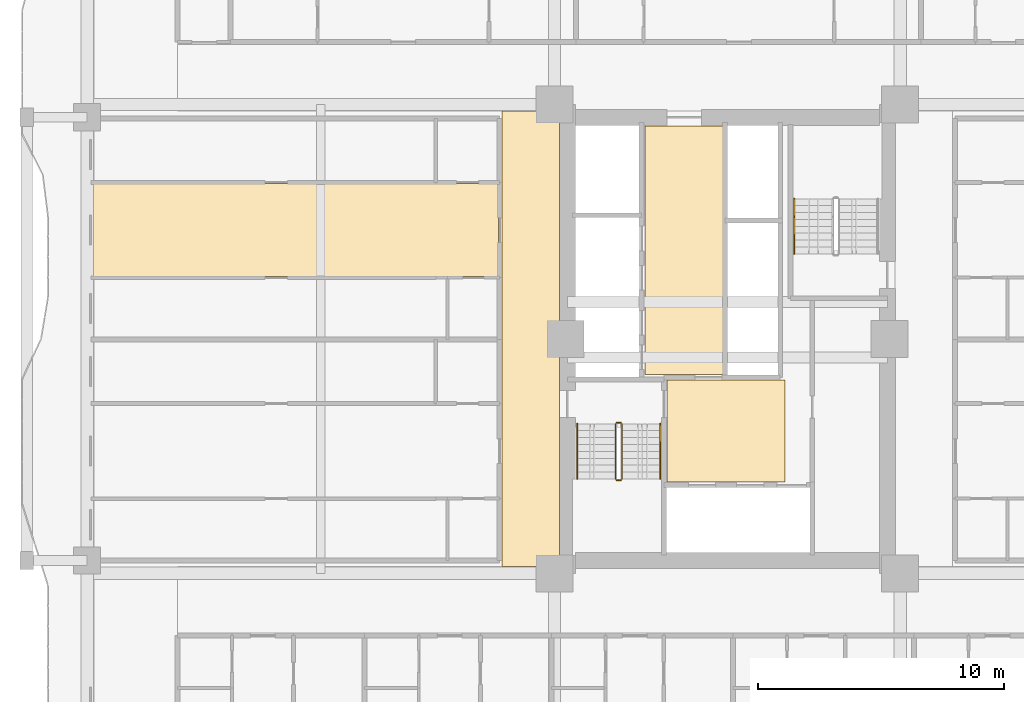
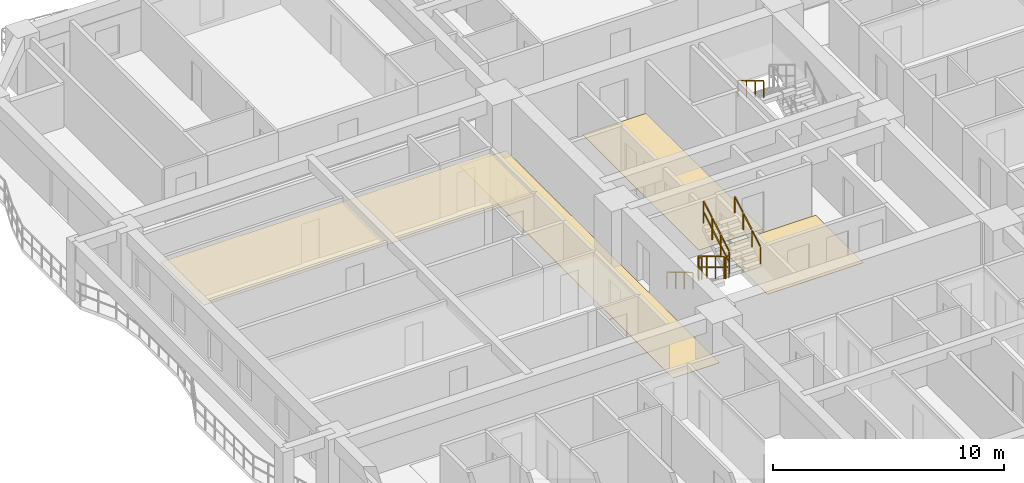
# One storey, part 14 of 17: 7 railings, 4 coverings.
"""IFC4 building model written with IfcOpenShell, lengths in metres."""

from ifc_helpers import new_model, si_unit, direction, frame, origin, origin_2d, place, context, subcontext, project, spatial, polyline, rectangle, outline, extrude, material, layer, layer_set, type_object, element, save


model = new_model("IFC4")

# Units and contexts
model_context = context("Model", 3, precision=1e-05, world=origin(), true_north=direction((0.0, 1.0)))
body_context = subcontext(model_context, "Body", "Model", "MODEL_VIEW")
ifc_project = project(units=[si_unit("LENGTHUNIT", "METRE"), si_unit("AREAUNIT", "SQUARE_METRE"), si_unit("VOLUMEUNIT", "CUBIC_METRE"), si_unit("PLANEANGLEUNIT", "RADIAN"), si_unit("MASSUNIT", "GRAM", prefix="KILO")], contexts=[model_context])

# Site, building, storey
site_placement = place(None, origin())
site = spatial("IfcSite", under=ifc_project, at=site_placement, CompositionType="ELEMENT")
building_placement = place(site_placement, origin())
building = spatial("IfcBuilding", under=site, at=building_placement, Name="Saelheon Loggia Tower", CompositionType="ELEMENT")
storey_placement = place(building_placement, frame((0.0, 0.0, 22.39990234375)))
storey = spatial("IfcBuildingStorey", under=building, at=storey_placement, Name="L06", CompositionType="ELEMENT", Elevation=22.39990234375)

# Coverings
ifc_material_1 = material(Name="Mineral-Fibre Acoustic Ceiling Board", Category="gypsum")
ifc_layer_1 = layer(ifc_material_1, 0.02490234375)
ifc_layer_set_1 = layer_set([ifc_layer_1], Name="Mineral-Fibre Acoustic Ceiling Board")
covering_type_1 = type_object("IfcCoveringType", Name="Cov_Ceiling_Acoustic", PredefinedType="CEILING", material=ifc_layer_set_1)
covering_1_placement = place(storey_placement, frame((0.0, 0.0, 2.53515625)))
element("IfcCovering", 1, at=covering_1_placement, inside=storey, type_object=covering_type_1, Name="L06 Acoustic Suspended Ceiling", PredefinedType="CEILING", context=body_context, shape_type="SweptSolid", body=[
    extrude(outline(polyline([(12.199951171875, 29.5380859375), (28.699951171875, 29.5380859375), (28.699951171875, 33.300048828125), (12.199951171875, 33.300048828125), (12.199951171875, 29.5380859375)])), origin(), (0.0, 0.0, 1.0), 0.02490234375),
])
ifc_material_2 = material(Name="Vitrified Porcelain Floor Tile", Category="ceramic")
ifc_layer_2 = layer(ifc_material_2, 0.02001953125)
ifc_layer_set_2 = layer_set([ifc_layer_2], Name="Vitrified Porcelain Floor Tile")
covering_type_2 = type_object("IfcCoveringType", Name="Cov_Floor_Porcelain", PredefinedType="FLOORING", material=ifc_layer_set_2)
covering_2_placement = place(storey_placement, origin())
element("IfcCovering", 2, at=covering_2_placement, inside=storey, type_object=covering_type_2, Name="L06 Corridor Porcelain Flooring", PredefinedType="FLOORING", context=body_context, shape_type="SweptSolid", body=[
    extrude(outline(polyline([(35.550048828125, 21.179931640625), (40.35009765625, 21.179931640625), (40.35009765625, 25.320068359375), (35.550048828125, 25.320068359375), (35.550048828125, 21.179931640625)])), origin(), (0.0, 0.0, 1.0), 0.02001953125),
])
covering_3_placement = place(storey_placement, origin())
element("IfcCovering", 3, at=covering_3_placement, inside=storey, type_object=covering_type_2, Name="L06 Corridor Porcelain Flooring", PredefinedType="FLOORING", context=body_context, shape_type="SweptSolid", body=[
    extrude(outline(polyline([(34.64990234375, 25.550048828125), (37.85009765625, 25.550048828125), (37.85009765625, 35.64990234375), (34.64990234375, 35.64990234375), (34.64990234375, 25.550048828125)])), origin(), (0.0, 0.0, 1.0), 0.02001953125),
])
covering_4_placement = place(storey_placement, origin())
element("IfcCovering", 4, at=covering_4_placement, inside=storey, type_object=covering_type_2, Name="L06 Corridor Porcelain Flooring", PredefinedType="FLOORING", context=body_context, shape_type="SweptSolid", body=[
    extrude(outline(polyline([(28.85009765625, 17.75), (31.179931640625, 17.75), (31.179931640625, 36.25), (28.85009765625, 36.25), (28.85009765625, 17.75)])), origin(), (0.0, 0.0, 1.0), 0.02001953125),
])

# Railings
ifc_material_3 = material(Name="Galvanised Steel S275 Stairwell Guardrail", Category="steel")
railing_type_1 = type_object("IfcRailingType", Name="Guard_StairWell_RL_STG", PredefinedType="GUARDRAIL", material=ifc_material_3)
railing_1_placement = place(storey_placement, frame((33.4599609375, 23.550048828125, 0.166748046875)))
element("IfcRailing", 5, at=railing_1_placement, inside=storey, type_object=railing_type_1, Name="L06 ST1 stair guard 1", PredefinedType="GUARDRAIL", context=body_context, shape_type="SweptSolid", body=[
    extrude(rectangle(XDim=0.048095703125, YDim=0.048095703125, at=origin_2d()), frame((0.0, -0.028564453125, 1.19287109375), z_axis=(0.0, -0.859305625298, 0.511462454469), x_axis=(1.0, 0.0, 0.0)), (0.0, 0.0, 1.0), 0.802490234375),
    extrude(rectangle(XDim=0.048095703125, YDim=0.048095703125, at=origin_2d()), frame((0.0, -0.028564453125, 0.616943359375), z_axis=(0.0, -0.859305625298, 0.511462454469), x_axis=(1.0, 0.0, 0.0)), (0.0, 0.0, 1.0), 0.802490234375),
    extrude(rectangle(XDim=0.048095703125, YDim=0.048095703125, at=origin_2d()), frame((0.0, -0.775146484375, 1.63720703125), z_axis=(0.0, -0.859305625298, 0.511462454469), x_axis=(1.0, 0.0, 0.0)), (0.0, 0.0, 1.0), 0.802490234375),
    extrude(rectangle(XDim=0.048095703125, YDim=0.048095703125, at=origin_2d()), frame((0.0, -0.775146484375, 1.061279296875), z_axis=(0.0, -0.859305625298, 0.511462454469), x_axis=(1.0, 0.0, 0.0)), (0.0, 0.0, 1.0), 0.802490234375),
    extrude(rectangle(XDim=0.048095703125, YDim=0.048095703125, at=origin_2d()), frame((0.0, -1.52197265625, 2.081787109375), z_axis=(0.0, -0.859305625298, 0.511462454469), x_axis=(1.0, 0.0, 0.0)), (0.0, 0.0, 1.0), 0.802490234375),
    extrude(rectangle(XDim=0.048095703125, YDim=0.048095703125, at=origin_2d()), frame((0.0, -1.52197265625, 1.505859375), z_axis=(0.0, -0.859305625298, 0.511462454469), x_axis=(1.0, 0.0, 0.0)), (0.0, 0.0, 1.0), 0.802490234375),
    extrude(rectangle(XDim=0.0419921875, YDim=0.0419921875, at=origin_2d()), origin(), (0.0, 0.0, 1.0), 1.14794921875),
    extrude(rectangle(XDim=0.0419921875, YDim=0.0419921875, at=origin_2d()), frame((0.0, -0.74658203125, 0.4443359375)), (0.0, 0.0, 1.0), 1.14794921875),
    extrude(rectangle(XDim=0.0419921875, YDim=0.0419921875, at=origin_2d()), frame((0.0, -1.493408203125, 0.888916015625)), (0.0, 0.0, 1.0), 1.14794921875),
    extrude(rectangle(XDim=0.0419921875, YDim=0.0419921875, at=origin_2d()), frame((0.0, -2.239990234375, 1.333251953125)), (0.0, 0.0, 1.0), 1.14794921875),
])
railing_2_placement = place(storey_placement, frame((33.510009765625, 21.260009765625, 1.5)))
element("IfcRailing", 6, at=railing_2_placement, inside=storey, type_object=railing_type_1, Name="L06 ST1 stair guard 2", PredefinedType="GUARDRAIL", context=body_context, shape_type="SweptSolid", body=[
    extrude(rectangle(XDim=0.048095703125, YDim=0.048095703125, at=origin_2d()), frame((0.033203125, 0.0, 1.17578125), z_axis=(1.0, 0.0, 0.0), x_axis=(0.0, 1.0, 0.0)), (0.0, 0.0, 1.0), 0.093505859375),
    extrude(rectangle(XDim=0.048095703125, YDim=0.048095703125, at=origin_2d()), frame((0.033203125, 0.0, 0.60009765625), z_axis=(1.0, 0.0, 0.0), x_axis=(0.0, 1.0, 0.0)), (0.0, 0.0, 1.0), 0.093505859375),
    extrude(rectangle(XDim=0.0419921875, YDim=0.0419921875, at=origin_2d()), origin(), (0.0, 0.0, 1.0), 1.14794921875),
    extrude(rectangle(XDim=0.0419921875, YDim=0.0419921875, at=origin_2d()), frame((0.159912109375, 0.0, 0.0)), (0.0, 0.0, 1.0), 1.14794921875),
])
railing_3_placement = place(storey_placement, frame((33.719970703125, 21.31005859375, 1.666748046875)))
element("IfcRailing", 7, at=railing_3_placement, inside=storey, type_object=railing_type_1, Name="L06 ST1 stair guard 3", PredefinedType="GUARDRAIL", context=body_context, shape_type="SweptSolid", body=[
    extrude(rectangle(XDim=0.048095703125, YDim=0.048095703125, at=origin_2d()), frame((0.0, 0.028564453125, 1.19287109375), z_axis=(0.0, 0.859305625298, 0.511462454469), x_axis=(-1.0, 0.0, 0.0)), (0.0, 0.0, 1.0), 0.802490234375),
    extrude(rectangle(XDim=0.048095703125, YDim=0.048095703125, at=origin_2d()), frame((0.0, 0.028564453125, 0.616943359375), z_axis=(0.0, 0.859305625298, 0.511462454469), x_axis=(-1.0, 0.0, 0.0)), (0.0, 0.0, 1.0), 0.802490234375),
    extrude(rectangle(XDim=0.048095703125, YDim=0.048095703125, at=origin_2d()), frame((0.0, 0.775146484375, 1.63720703125), z_axis=(0.0, 0.859305625298, 0.511462454469), x_axis=(-1.0, 0.0, 0.0)), (0.0, 0.0, 1.0), 0.802490234375),
    extrude(rectangle(XDim=0.048095703125, YDim=0.048095703125, at=origin_2d()), frame((0.0, 0.775146484375, 1.061279296875), z_axis=(0.0, 0.859305625298, 0.511462454469), x_axis=(-1.0, 0.0, 0.0)), (0.0, 0.0, 1.0), 0.802490234375),
    extrude(rectangle(XDim=0.048095703125, YDim=0.048095703125, at=origin_2d()), frame((0.0, 1.52197265625, 2.081787109375), z_axis=(0.0, 0.859305625298, 0.511462454469), x_axis=(-1.0, 0.0, 0.0)), (0.0, 0.0, 1.0), 0.802490234375),
    extrude(rectangle(XDim=0.048095703125, YDim=0.048095703125, at=origin_2d()), frame((0.0, 1.52197265625, 1.505859375), z_axis=(0.0, 0.859305625298, 0.511462454469), x_axis=(-1.0, 0.0, 0.0)), (0.0, 0.0, 1.0), 0.802490234375),
    extrude(rectangle(XDim=0.0419921875, YDim=0.0419921875, at=origin_2d()), origin(), (0.0, 0.0, 1.0), 1.14794921875),
    extrude(rectangle(XDim=0.0419921875, YDim=0.0419921875, at=origin_2d()), frame((0.0, 0.74658203125, 0.4443359375)), (0.0, 0.0, 1.0), 1.14794921875),
    extrude(rectangle(XDim=0.0419921875, YDim=0.0419921875, at=origin_2d()), frame((0.0, 1.493408203125, 0.888916015625)), (0.0, 0.0, 1.0), 1.14794921875),
    extrude(rectangle(XDim=0.0419921875, YDim=0.0419921875, at=origin_2d()), frame((0.0, 2.239990234375, 1.333251953125)), (0.0, 0.0, 1.0), 1.14794921875),
])
railing_4_placement = place(storey_placement, frame((33.510009765625, 23.60009765625, 0.0)))
element("IfcRailing", 8, at=railing_4_placement, inside=storey, type_object=railing_type_1, Name="L06 ST1 stair guard 4", PredefinedType="GUARDRAIL", context=body_context, shape_type="SweptSolid", body=[
    extrude(rectangle(XDim=0.048095703125, YDim=0.048095703125, at=origin_2d()), frame((0.033203125, 0.0, 1.17578125), z_axis=(1.0, 0.0, 0.0), x_axis=(0.0, 1.0, 0.0)), (0.0, 0.0, 1.0), 0.093505859375),
    extrude(rectangle(XDim=0.048095703125, YDim=0.048095703125, at=origin_2d()), frame((0.033203125, 0.0, 0.60009765625), z_axis=(1.0, 0.0, 0.0), x_axis=(0.0, 1.0, 0.0)), (0.0, 0.0, 1.0), 0.093505859375),
    extrude(rectangle(XDim=0.0419921875, YDim=0.0419921875, at=origin_2d()), origin(), (0.0, 0.0, 1.0), 1.14794921875),
    extrude(rectangle(XDim=0.0419921875, YDim=0.0419921875, at=origin_2d()), frame((0.159912109375, 0.0, 0.0)), (0.0, 0.0, 1.0), 1.14794921875),
])
ifc_material_4 = material(Name="Stainless Steel 304 Tubular Handrail", Category="steel")
railing_type_2 = type_object("IfcRailingType", Name="Handrail_Stair_RL_HR1", PredefinedType="HANDRAIL", material=ifc_material_4)
railing_5_placement = place(storey_placement, frame((31.89990234375, 23.550048828125, 0.166748046875)))
element("IfcRailing", 9, at=railing_5_placement, inside=storey, type_object=railing_type_2, Name="L06 ST1 stair handrail 1", PredefinedType="HANDRAIL", context=body_context, shape_type="SweptSolid", body=[
    extrude(rectangle(XDim=0.048095703125, YDim=0.048095703125, at=origin_2d()), frame((0.0, -0.028564453125, 0.892822265625), z_axis=(0.0, -0.859305625298, 0.511462454469), x_axis=(1.0, 0.0, 0.0)), (0.0, 0.0, 1.0), 0.802490234375),
    extrude(rectangle(XDim=0.048095703125, YDim=0.048095703125, at=origin_2d()), frame((0.0, -0.775146484375, 1.337158203125), z_axis=(0.0, -0.859305625298, 0.511462454469), x_axis=(1.0, 0.0, 0.0)), (0.0, 0.0, 1.0), 0.802490234375),
    extrude(rectangle(XDim=0.048095703125, YDim=0.048095703125, at=origin_2d()), frame((0.0, -1.52197265625, 1.78173828125), z_axis=(0.0, -0.859305625298, 0.511462454469), x_axis=(1.0, 0.0, 0.0)), (0.0, 0.0, 1.0), 0.802490234375),
    extrude(rectangle(XDim=0.0419921875, YDim=0.0419921875, at=origin_2d()), origin(), (0.0, 0.0, 1.0), 0.847900390625),
    extrude(rectangle(XDim=0.0419921875, YDim=0.0419921875, at=origin_2d()), frame((0.0, -0.74658203125, 0.4443359375)), (0.0, 0.0, 1.0), 0.847900390625),
    extrude(rectangle(XDim=0.0419921875, YDim=0.0419921875, at=origin_2d()), frame((0.0, -1.493408203125, 0.888916015625)), (0.0, 0.0, 1.0), 0.847900390625),
    extrude(rectangle(XDim=0.0419921875, YDim=0.0419921875, at=origin_2d()), frame((0.0, -2.239990234375, 1.333251953125)), (0.0, 0.0, 1.0), 0.847900390625),
])
railing_6_placement = place(storey_placement, frame((35.280029296875, 21.31005859375, 1.666748046875)))
element("IfcRailing", 10, at=railing_6_placement, inside=storey, type_object=railing_type_2, Name="L06 ST1 stair handrail 2", PredefinedType="HANDRAIL", context=body_context, shape_type="SweptSolid", body=[
    extrude(rectangle(XDim=0.048095703125, YDim=0.048095703125, at=origin_2d()), frame((0.0, 0.028564453125, 0.892822265625), z_axis=(0.0, 0.859305625298, 0.511462454469), x_axis=(-1.0, 0.0, 0.0)), (0.0, 0.0, 1.0), 0.802490234375),
    extrude(rectangle(XDim=0.048095703125, YDim=0.048095703125, at=origin_2d()), frame((0.0, 0.775146484375, 1.337158203125), z_axis=(0.0, 0.859305625298, 0.511462454469), x_axis=(-1.0, 0.0, 0.0)), (0.0, 0.0, 1.0), 0.802490234375),
    extrude(rectangle(XDim=0.048095703125, YDim=0.048095703125, at=origin_2d()), frame((0.0, 1.52197265625, 1.78173828125), z_axis=(0.0, 0.859305625298, 0.511462454469), x_axis=(-1.0, 0.0, 0.0)), (0.0, 0.0, 1.0), 0.802490234375),
    extrude(rectangle(XDim=0.0419921875, YDim=0.0419921875, at=origin_2d()), origin(), (0.0, 0.0, 1.0), 0.847900390625),
    extrude(rectangle(XDim=0.0419921875, YDim=0.0419921875, at=origin_2d()), frame((0.0, 0.74658203125, 0.4443359375)), (0.0, 0.0, 1.0), 0.847900390625),
    extrude(rectangle(XDim=0.0419921875, YDim=0.0419921875, at=origin_2d()), frame((0.0, 1.493408203125, 0.888916015625)), (0.0, 0.0, 1.0), 0.847900390625),
    extrude(rectangle(XDim=0.0419921875, YDim=0.0419921875, at=origin_2d()), frame((0.0, 2.239990234375, 1.333251953125)), (0.0, 0.0, 1.0), 0.847900390625),
])
railing_7_placement = place(storey_placement, frame((40.719970703125, 32.68994140625, 1.666748046875)))
element("IfcRailing", 11, at=railing_7_placement, inside=storey, type_object=railing_type_2, Name="L06 ST2 stair handrail 2", PredefinedType="HANDRAIL", context=body_context, shape_type="SweptSolid", body=[
    extrude(rectangle(XDim=0.048095703125, YDim=0.048095703125, at=origin_2d()), frame((0.0, -0.028564453125, 0.892822265625), z_axis=(0.0, -0.859305625298, 0.511462454469), x_axis=(1.0, 0.0, 0.0)), (0.0, 0.0, 1.0), 0.802490234375),
    extrude(rectangle(XDim=0.048095703125, YDim=0.048095703125, at=origin_2d()), frame((0.0, -0.775146484375, 1.337158203125), z_axis=(0.0, -0.859305625298, 0.511462454469), x_axis=(1.0, 0.0, 0.0)), (0.0, 0.0, 1.0), 0.802490234375),
    extrude(rectangle(XDim=0.048095703125, YDim=0.048095703125, at=origin_2d()), frame((0.0, -1.52197265625, 1.78173828125), z_axis=(0.0, -0.859305625298, 0.511462454469), x_axis=(1.0, 0.0, 0.0)), (0.0, 0.0, 1.0), 0.802490234375),
    extrude(rectangle(XDim=0.0419921875, YDim=0.0419921875, at=origin_2d()), origin(), (0.0, 0.0, 1.0), 0.847900390625),
    extrude(rectangle(XDim=0.0419921875, YDim=0.0419921875, at=origin_2d()), frame((0.0, -0.74658203125, 0.4443359375)), (0.0, 0.0, 1.0), 0.847900390625),
    extrude(rectangle(XDim=0.0419921875, YDim=0.0419921875, at=origin_2d()), frame((0.0, -1.493408203125, 0.888916015625)), (0.0, 0.0, 1.0), 0.847900390625),
    extrude(rectangle(XDim=0.0419921875, YDim=0.0419921875, at=origin_2d()), frame((0.0, -2.239990234375, 1.333251953125)), (0.0, 0.0, 1.0), 0.847900390625),
])

save(model, "model.ifc")
